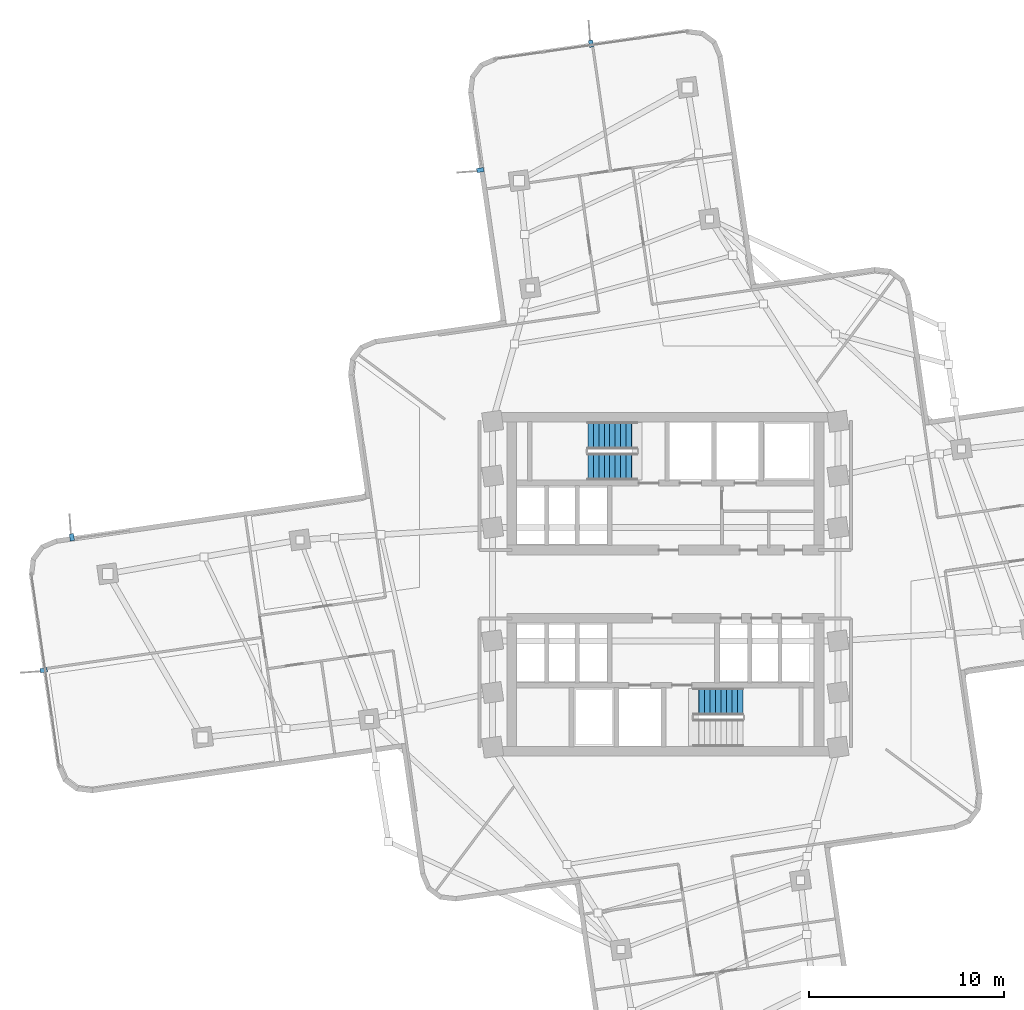
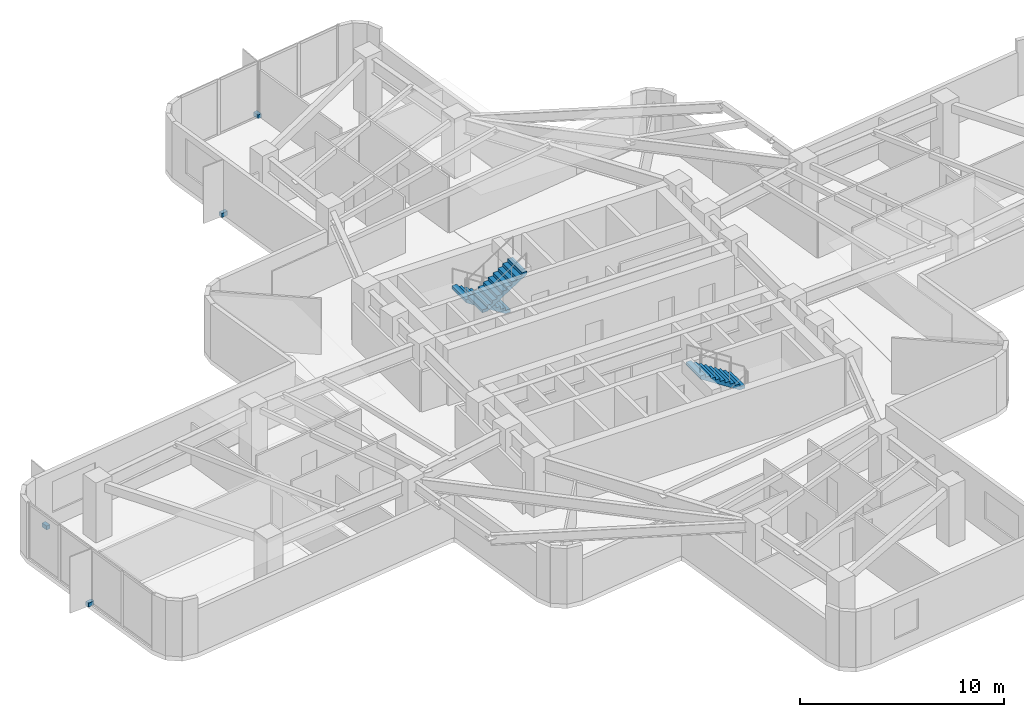
# One storey, part 9 of 13: 4 discrete accessories, 3 stair flights, 2 elements without a shape of their own.
"""IFC4 building model written with IfcOpenShell, lengths in metres."""

from ifc_helpers import new_model, si_unit, direction, frame, origin, origin_2d, place, context, subcontext, project, spatial, polyline, rectangle, outline, extrude, material, type_object, element, aggregate, save


model = new_model("IFC4")

# Units and contexts
model_context = context("Model", 3, precision=1e-05, world=origin(), true_north=direction((0.0, 1.0)))
body_context = subcontext(model_context, "Body", "Model", "MODEL_VIEW")
ifc_project = project(units=[si_unit("LENGTHUNIT", "METRE"), si_unit("AREAUNIT", "SQUARE_METRE"), si_unit("VOLUMEUNIT", "CUBIC_METRE"), si_unit("PLANEANGLEUNIT", "RADIAN"), si_unit("MASSUNIT", "GRAM", prefix="KILO")], contexts=[model_context])

# Site, building, storey
site_placement = place(None, origin())
site = spatial("IfcSite", under=ifc_project, at=site_placement, CompositionType="ELEMENT")
building_placement = place(site_placement, origin())
building = spatial("IfcBuilding", under=site, at=building_placement, Name="Solmarez Civic Tower", CompositionType="ELEMENT")
storey_placement = place(building_placement, frame((0.0, 0.0, 89.280029296875)))
storey = spatial("IfcBuildingStorey", under=building, at=storey_placement, Name="L23", CompositionType="ELEMENT", Elevation=89.280029296875)

# Stair, stair flights
ifc_material_1 = material(Name="Concrete C50/60", Category="concrete")
stair_type = type_object("IfcStairType", Name="STAIR-DOGLEG-140W-20R-1800", PredefinedType="HALF_TURN_STAIR", material=ifc_material_1)
stair_1_placement = place(storey_placement, origin())
stair_1 = element("IfcStair", 1, at=stair_1_placement, inside=storey, type_object=stair_type, Name="L23 North Core Protected Exit Stair ST-1", PredefinedType="HALF_TURN_STAIR")
stair_flight_type = type_object("IfcStairFlightType", Name="FLIGHT-DOGLEG-140W-10R-1800", PredefinedType="STRAIGHT", material=ifc_material_1)
stair_flight_1_placement = place(storey_placement, frame((-1.449951171875, 7.6201171875, 0.0), z_axis=(0.0, 0.0, 1.0), x_axis=(-1.0, 0.0, 0.0)))
stair_flight_1 = element("IfcStairFlight", 2, at=stair_flight_1_placement, type_object=stair_flight_type, Name="ST-1 flight 1", NumberOfRisers=10, NumberOfTreads=9, PredefinedType="STRAIGHT", RiserHeight=0.18, TreadLength=0.28, context=body_context, shape_type="SweptSolid", body=[
    extrude(outline(polyline([(0.0, 0.0), (0.0, 0.179931640625), (0.280029296875, 0.179931640625), (0.280029296875, 0.360107421875), (0.56005859375, 0.360107421875), (0.56005859375, 0.5400390625), (0.840087890625, 0.5400390625), (0.840087890625, 0.719970703125), (1.1201171875, 0.719970703125), (1.1201171875, 0.89990234375), (1.39990234375, 0.89990234375), (1.39990234375, 1.080078125), (1.679931640625, 1.080078125), (1.679931640625, 1.260009765625), (1.9599609375, 1.260009765625), (1.9599609375, 1.43994140625), (2.239990234375, 1.43994140625), (2.239990234375, 1.6201171875), (2.52001953125, 1.6201171875), (2.52001953125, 1.800048828125), (2.52001953125, 1.429931640625), (0.295654296875, 0.0), (0.0, 0.0)])), frame((0.0, 0.699951171875, 0.0), z_axis=(0.0, -1.0, 0.0), x_axis=(1.0, 0.0, 0.0)), (0.0, 0.0, 1.0), 1.39990234375),
])
stair_flight_2_placement = place(storey_placement, frame((-3.969970703125, 6.02001953125, 1.800048828125), z_axis=(0.0, 0.0, 1.0), x_axis=(1.0, 0.0, 0.0)))
stair_flight_2 = element("IfcStairFlight", 3, at=stair_flight_2_placement, type_object=stair_flight_type, Name="ST-1 flight 2", NumberOfRisers=10, NumberOfTreads=9, PredefinedType="STRAIGHT", RiserHeight=0.18, TreadLength=0.28, context=body_context, shape_type="SweptSolid", body=[
    extrude(outline(polyline([(0.0, 0.0), (0.0, 0.179931640625), (0.280029296875, 0.179931640625), (0.280029296875, 0.360107421875), (0.56005859375, 0.360107421875), (0.56005859375, 0.5400390625), (0.840087890625, 0.5400390625), (0.840087890625, 0.719970703125), (1.1201171875, 0.719970703125), (1.1201171875, 0.89990234375), (1.39990234375, 0.89990234375), (1.39990234375, 1.080078125), (1.679931640625, 1.080078125), (1.679931640625, 1.260009765625), (1.9599609375, 1.260009765625), (1.9599609375, 1.43994140625), (2.239990234375, 1.43994140625), (2.239990234375, 1.6201171875), (2.52001953125, 1.6201171875), (2.52001953125, 1.800048828125), (2.52001953125, 1.429931640625), (0.295654296875, 0.0), (0.0, 0.0)])), frame((0.0, 0.699951171875, 0.0), z_axis=(0.0, -1.0, 0.0), x_axis=(1.0, 0.0, 0.0)), (0.0, 0.0, 1.0), 1.39990234375),
])
aggregate(stair_1, [stair_flight_1, stair_flight_2])

# Stair, stair flight
stair_2_placement = place(storey_placement, origin())
stair_2 = element("IfcStair", 4, at=stair_2_placement, inside=storey, type_object=stair_type, Name="L23 South Core Protected Exit Stair ST-2", PredefinedType="HALF_TURN_STAIR")
stair_flight_3_placement = place(storey_placement, frame((3.969970703125, -6.02001953125, 1.800048828125), z_axis=(0.0, 0.0, 1.0), x_axis=(-1.0, 0.0, 0.0)))
stair_flight_3 = element("IfcStairFlight", 5, at=stair_flight_3_placement, type_object=stair_flight_type, Name="ST-2 flight 2", NumberOfRisers=10, NumberOfTreads=9, PredefinedType="STRAIGHT", RiserHeight=0.18, TreadLength=0.28, context=body_context, shape_type="SweptSolid", body=[
    extrude(outline(polyline([(0.0, 0.0), (0.0, 0.179931640625), (0.280029296875, 0.179931640625), (0.280029296875, 0.360107421875), (0.56005859375, 0.360107421875), (0.56005859375, 0.5400390625), (0.840087890625, 0.5400390625), (0.840087890625, 0.719970703125), (1.1201171875, 0.719970703125), (1.1201171875, 0.89990234375), (1.39990234375, 0.89990234375), (1.39990234375, 1.080078125), (1.679931640625, 1.080078125), (1.679931640625, 1.260009765625), (1.9599609375, 1.260009765625), (1.9599609375, 1.43994140625), (2.239990234375, 1.43994140625), (2.239990234375, 1.6201171875), (2.52001953125, 1.6201171875), (2.52001953125, 1.800048828125), (2.52001953125, 1.429931640625), (0.295654296875, 0.0), (0.0, 0.0)])), frame((0.0, 0.699951171875, 0.0), z_axis=(0.0, -1.0, 0.0), x_axis=(1.0, 0.0, 0.0)), (0.0, 0.0, 1.0), 1.39990234375),
])
aggregate(stair_2, [stair_flight_3])

# Discrete accessories
ifc_material_2 = material(Name="Stainless Steel Grade 1.4401", Category="steel")
discrete_accessory_type = type_object("IfcDiscreteAccessoryType", Name="BRACKET-SS-FIN", PredefinedType="BRACKET", material=ifc_material_2)
for number, where, z_axis, x_axis, name in (
    (6, (-31.85693359375, -4.408935546875, -0.06005859375), (0.0, 0.0, 1.0), (-0.989777543719, -0.142619823131, 0.0), "L23 Stainless Fin Support Bracket FIN-L23-01"),
    (7, (-30.4140625, 2.406005859375, -0.06005859375), (0.0, 0.0, 1.0), (-0.142617157324, 0.989777927839, 0.0), "L23 Stainless Fin Support Bracket FIN-L23-02"),
    (8, (-9.48388671875, 21.22509765625, -0.06005859375), (0.0, 0.0, 1.0), (-0.989776434573, -0.142627520363, 0.0), "L23 Stainless Fin Support Bracket FIN-L23-03"),
    (9, (-3.81005859375, 27.699951171875, -0.06005859375), (0.0, 0.0, 1.0), (-0.142619823131, 0.989777543719, 0.0), "L23 Stainless Fin Support Bracket FIN-L23-04"),
):
    element("IfcDiscreteAccessory", number, at=place(storey_placement, frame(where, z_axis=z_axis, x_axis=x_axis)), inside=storey, type_object=discrete_accessory_type, Name=name, PredefinedType="BRACKET", context=body_context, shape_type="SweptSolid", body=[
        extrude(rectangle(XDim=0.360107421875, YDim=0.219970703125, at=origin_2d()), origin(), (0.0, 0.0, 1.0), 0.239990234375),
    ])

save(model, "model.ifc")
